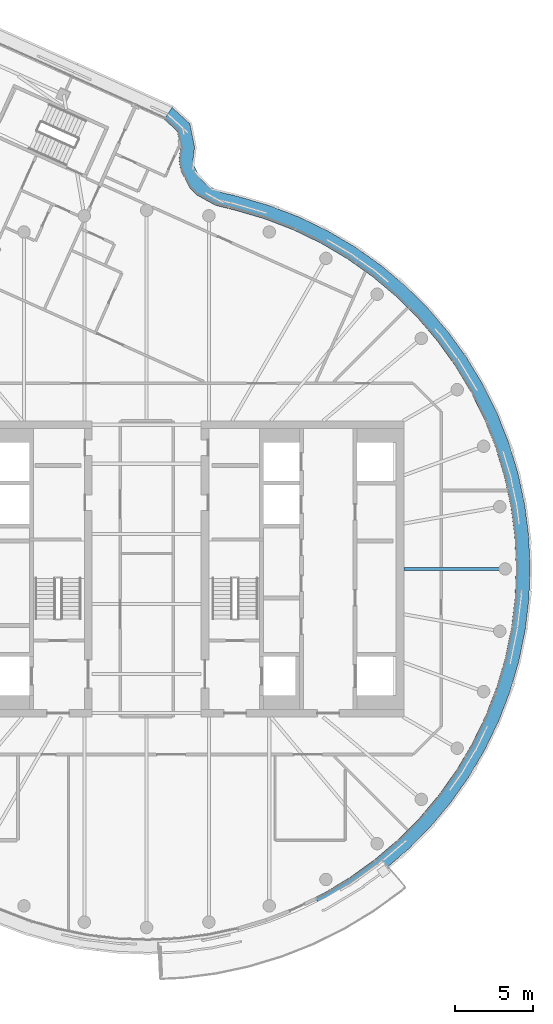
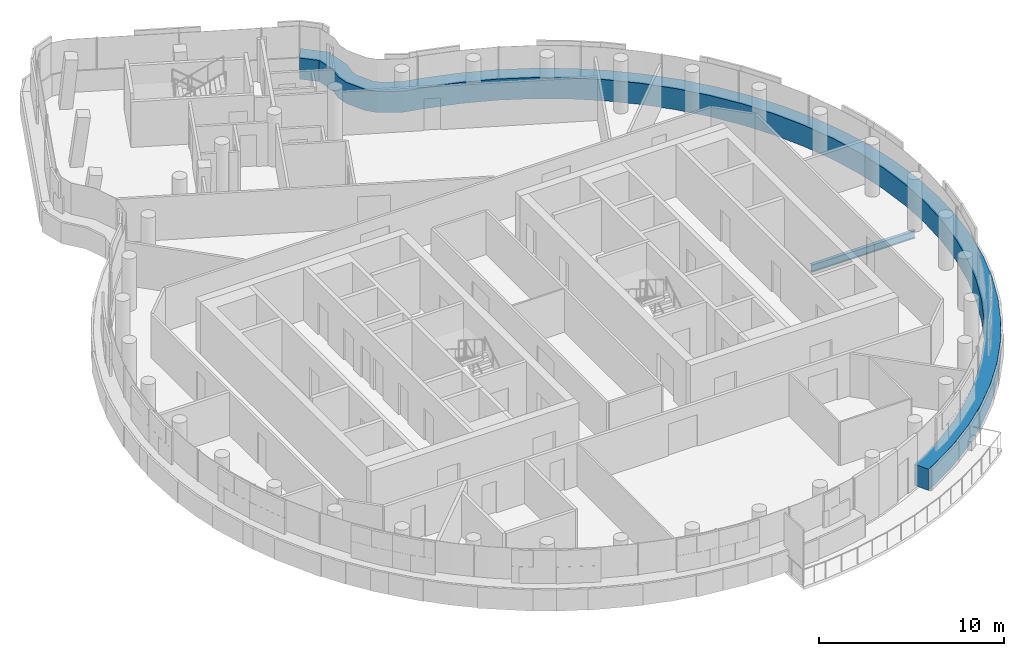
# One storey, part 7 of 21: 1 beam, 1 member, 1 element without a shape of its own.
"""IFC4 building model written with IfcOpenShell, lengths in metres."""

from ifc_helpers import new_model, si_unit, direction, frame, origin, origin_2d, place, context, subcontext, project, spatial, polyline, i_section, outline, extrude, material, layer, layer_set, material_profile, profile_set, type_object, element, aggregate, save


model = new_model("IFC4")

# Units and contexts
model_context = context("Model", 3, precision=1e-05, world=origin(), true_north=direction((0.0, 1.0)))
body_context = subcontext(model_context, "Body", "Model", "MODEL_VIEW")
ifc_project = project(units=[si_unit("LENGTHUNIT", "METRE"), si_unit("AREAUNIT", "SQUARE_METRE"), si_unit("VOLUMEUNIT", "CUBIC_METRE"), si_unit("PLANEANGLEUNIT", "RADIAN"), si_unit("MASSUNIT", "GRAM", prefix="KILO")], contexts=[model_context])

# Site, building, storey
site_placement = place(None, origin())
site = spatial("IfcSite", under=ifc_project, at=site_placement, CompositionType="ELEMENT")
building_placement = place(site_placement, origin())
building = spatial("IfcBuilding", under=site, at=building_placement, Name="Tamarind Cross Interchange Tower", CompositionType="ELEMENT")
storey_placement = place(building_placement, frame((0.0, 0.0, 271.199951171875)))
storey = spatial("IfcBuildingStorey", under=building, at=storey_placement, Name="L69", CompositionType="ELEMENT", Elevation=271.199951171875)

# Beam
ifc_material_1 = material(Name="Steel Q355B", Category="steel")
ifc_material_profile = material_profile(ifc_material_1, i_section(OverallWidth=0.198974609375, OverallDepth=0.49609375, WebThickness=0.009033203125, FlangeThickness=0.013916015625, FilletRadius=0.012939453125, at=origin_2d()), Name="HN 496x199x9x14")
ifc_profile_set = profile_set([ifc_material_profile], Name="Steel Q355B")
beam_type = type_object("IfcBeamType", Name="Composite beam HN 496x199x9x14 Q355B", PredefinedType="BEAM", material=ifc_profile_set)
beam_placement = place(storey_placement, frame((23.0, 0.0, -0.387939453125), z_axis=(-1.0, 0.0, 0.0), x_axis=(0.0, -1.0, 0.0)))
element("IfcBeam", 1, at=beam_placement, inside=storey, type_object=beam_type, Name="Beam HH00", PredefinedType="BEAM", context=body_context, shape_type="SweptSolid", body=[
    extrude(i_section(OverallWidth=0.198974609375, OverallDepth=0.49609375, WebThickness=0.009033203125, FlangeThickness=0.013916015625, FilletRadius=0.012939453125, at=origin_2d()), origin(), (0.0, 0.0, 1.0), 6.5),
])

# Curtain wall, member
ifc_material_2 = material(Name="Aluminium 6063-T6", Category="aluminium")
ifc_layer = layer(ifc_material_2, 0.139892578125)
ifc_layer_set = layer_set([ifc_layer], Name="Aluminium 6063-T6")
curtain_wall_type = type_object("IfcCurtainWallType", Name="Hotel curtain wall, 4.5 m bays", PredefinedType="NOTDEFINED", material=ifc_layer_set)
curtain_wall_placement = place(storey_placement, origin())
curtain_wall = element("IfcCurtainWall", 2, at=curtain_wall_placement, inside=storey, type_object=curtain_wall_type, Name="CWS-L69-01", PredefinedType="NOTDEFINED")
ifc_material_3 = material(Name="Aluminium and insulated spandrel panel", Category="aluminium")
member_type = type_object("IfcMemberType", Name="Floor-edge blade transom", PredefinedType="USERDEFINED", material=ifc_material_3)
member_placement = place(storey_placement, origin())
member = element("IfcMember", 3, at=member_placement, type_object=member_type, Name="CWT-L69-01-1", ObjectType="TRANSOM", PredefinedType="USERDEFINED", context=body_context, shape_type="SweptSolid", body=[
    extrude(outline(polyline([(10.816162109375, -21.0634765625), (11.367431640625, -20.791015625), (13.045654296875, -19.78125), (14.634521484375, -18.636474609375), (16.12353515625, -17.3642578125), (17.50244140625, -15.973388671875), (18.76171875, -14.4736328125), (19.892822265625, -12.874755859375), (20.88818359375, -11.188232421875), (21.74072265625, -9.425048828125), (22.444580078125, -7.597412109375), (22.995361328125, -5.718017578125), (23.38916015625, -3.799560546875), (23.623046875, -1.855224609375), (23.695556640625, 0.10205078125), (23.606201171875, 2.058349609375), (23.35546875, 4.000732421875), (22.9453125, 5.915771484375), (22.37841796875, 7.790283203125), (21.65869140625, 9.61181640625), (20.791015625, 11.367431640625), (19.78125, 13.045654296875), (18.636474609375, 14.634521484375), (17.3642578125, 16.12353515625), (15.973388671875, 17.50244140625), (14.4736328125, 18.76171875), (12.874755859375, 19.892822265625), (11.188232421875, 20.88818359375), (9.425048828125, 21.74072265625), (7.597412109375, 22.444580078125), (5.71240234375, 22.9970703125), (4.43310546875, 23.31103515625), (3.21142578125, 23.985595703125), (2.75, 24.46240234375), (2.182861328125, 25.576171875), (2.068359375, 26.229736328125), (2.165283203125, 27.0048828125), (1.9521484375, 28.0888671875), (1.13671875, 28.833984375), (1.636962890625, 29.595947265625), (2.7783203125, 28.55322265625), (3.076171875, 27.03662109375), (2.978271484375, 26.251953125), (3.046142578125, 25.864501953125), (3.49072265625, 24.9912109375), (3.764404296875, 24.708251953125), (4.763671875, 24.15673828125), (5.946533203125, 23.866455078125), (7.88623046875, 23.2978515625), (9.783203125, 22.567138671875), (11.613525390625, 21.68212890625), (13.3642578125, 20.64892578125), (15.023681640625, 19.474853515625), (16.580810546875, 18.167724609375), (18.0244140625, 16.736572265625), (19.344970703125, 15.19091796875), (20.533203125, 13.54150390625), (21.581298828125, 11.799560546875), (22.482177734375, 9.97705078125), (23.229248046875, 8.08642578125), (23.817626953125, 6.140625), (24.243408203125, 4.15283203125), (24.50341796875, 2.13671875), (24.59619140625, 0.10595703125), (24.52099609375, -1.925537109375), (24.2783203125, -3.944091796875), (23.86962890625, -5.935302734375), (23.2978515625, -7.88623046875), (22.567138671875, -9.783203125), (21.68212890625, -11.613525390625), (20.64892578125, -13.3642578125), (19.474853515625, -15.023681640625), (18.167724609375, -16.580810546875), (16.736572265625, -18.0244140625), (15.19091796875, -19.344970703125), (13.54150390625, -20.533203125), (11.799560546875, -21.581298828125), (11.227294921875, -21.8642578125), (10.816162109375, -21.0634765625)])), origin(), (0.0, 0.0, 1.0), 1.400146484375),
])
aggregate(curtain_wall, [member])

save(model, "model.ifc")
